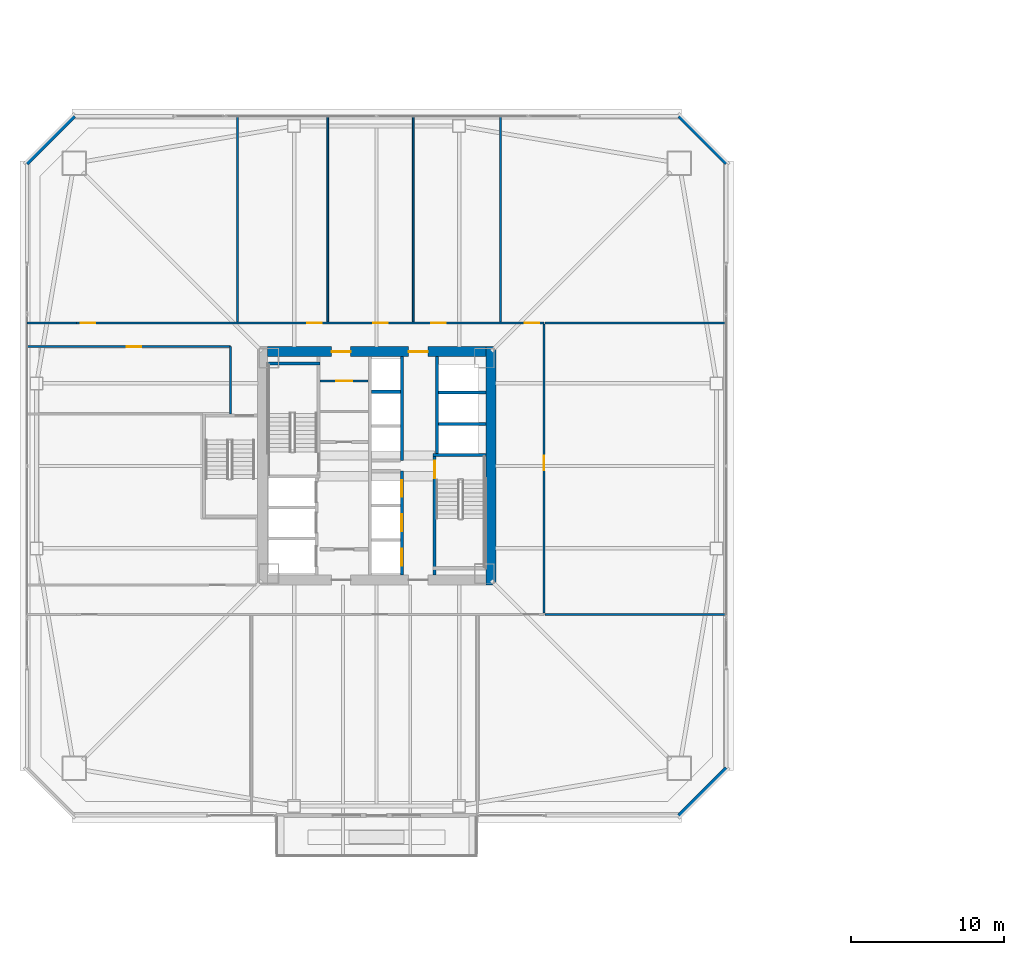
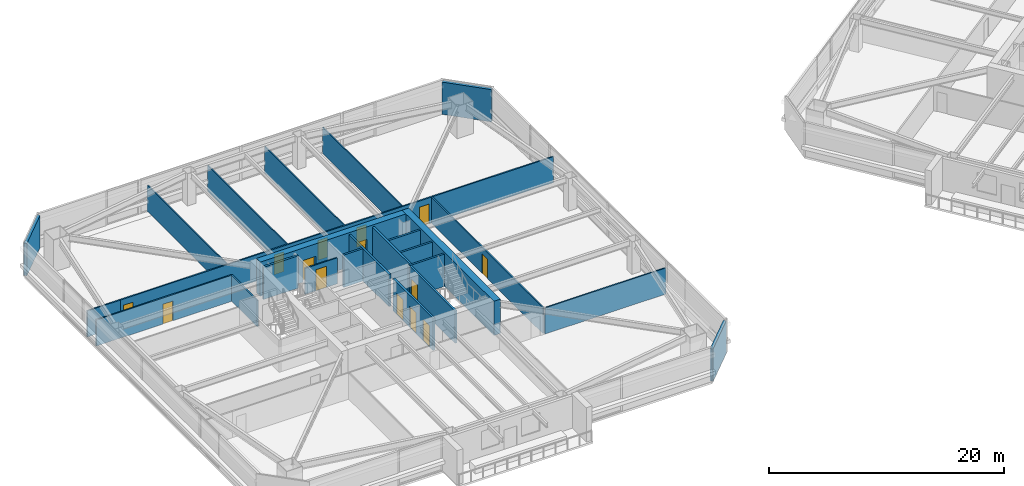
# One storey, part 37 of 48: 26 walls, 14 doors, 14 openings.
"""IFC4 building model written with IfcOpenShell, lengths in metres."""

from ifc_helpers import new_model, si_unit, direction, frame, frame_2d, origin, place, context, subcontext, project, spatial, rectangle, extrude, material, layer, layer_set, type_object, element, fill, save


model = new_model("IFC4")

# Units and contexts
model_context = context("Model", 3, precision=1e-05, world=origin(), true_north=direction((0.0, 1.0)))
body_context = subcontext(model_context, "Body", "Model", "MODEL_VIEW")
ifc_project = project(units=[si_unit("LENGTHUNIT", "METRE"), si_unit("AREAUNIT", "SQUARE_METRE"), si_unit("VOLUMEUNIT", "CUBIC_METRE"), si_unit("PLANEANGLEUNIT", "RADIAN"), si_unit("MASSUNIT", "GRAM", prefix="KILO")], contexts=[model_context])

# Site, building, storey
site_placement = place(None, origin())
site = spatial("IfcSite", under=ifc_project, at=site_placement, CompositionType="ELEMENT")
building_placement = place(site_placement, origin())
building = spatial("IfcBuilding", under=site, at=building_placement, Name="Tashvorn Skyway Center", CompositionType="ELEMENT")
storey_placement = place(building_placement, frame((0.0, 0.0, 56.550048828125)))
storey = spatial("IfcBuildingStorey", under=building, at=storey_placement, Name="L14", CompositionType="ELEMENT", Elevation=56.550048828125)

# Wall
ifc_material_1 = material(Name="Concrete C60/75", Category="concrete")
ifc_layer_1 = layer(ifc_material_1, 0.64990234375)
ifc_layer_set_1 = layer_set([ifc_layer_1], Name="Concrete C60/75")
wall_type_1 = type_object("IfcWallType", Name="WALL-CORE-650", PredefinedType="SHEAR", material=ifc_layer_set_1)
wall_1_placement = place(storey_placement, frame((49.47509765625, 39.800048828125, 0.0), z_axis=(0.0, 0.0, 1.0), x_axis=(0.0, -1.0, 0.0)))
element("IfcWall", 1, at=wall_1_placement, inside=storey, type_object=wall_type_1, Name="Tower 1 L14 East Core Shear Wall", PredefinedType="SHEAR", context=body_context, shape_type="SweptSolid", body=[
    extrude(rectangle(XDim=15.60009765625, YDim=0.64990234375, at=frame_2d((7.800048828125, 0.0))), origin(), (0.0, 0.0, 1.0), 3.550048828125),
])

# Wall, openings, doors
wall_2_placement = place(storey_placement, frame((34.85009765625, 39.47509765625, 0.0), z_axis=(0.0, 0.0, 1.0), x_axis=(1.0, 0.0, 0.0)))
wall_2 = element("IfcWall", 2, at=wall_2_placement, inside=storey, type_object=wall_type_1, Name="Tower 1 L14 North Core Shear Wall", PredefinedType="SHEAR", context=body_context, shape_type="SweptSolid", body=[
    extrude(rectangle(XDim=14.2998046875, YDim=0.64990234375, at=frame_2d((7.14990234375, 0.0))), origin(), (0.0, 0.0, 1.0), 3.550048828125),
])
opening_1_placement = place(wall_2_placement, frame((4.199951171875, 0.0, 0.0)))
opening_1 = element("IfcOpeningElement", 3, at=opening_1_placement, cuts=wall_2, Name="Opening D-FFL-1250", PredefinedType="OPENING", context=body_context, shape_type="SweptSolid", body=[
    extrude(rectangle(XDim=1.25, YDim=2.25, at=frame_2d((0.625, 1.125))), frame((0.0, 0.3349609375, 0.0), z_axis=(0.0, -1.0, 0.0), x_axis=(1.0, 0.0, 0.0)), (0.0, 0.0, 1.0), 0.669921875),
])
opening_2_placement = place(wall_2_placement, frame((9.25, 0.0, 0.0)))
opening_2 = element("IfcOpeningElement", 4, at=opening_2_placement, cuts=wall_2, Name="Opening D-FFL-1250", PredefinedType="OPENING", context=body_context, shape_type="SweptSolid", body=[
    extrude(rectangle(XDim=1.25, YDim=2.25, at=frame_2d((0.625, 1.125))), frame((0.0, 0.3349609375, 0.0), z_axis=(0.0, -1.0, 0.0), x_axis=(1.0, 0.0, 0.0)), (0.0, 0.0, 1.0), 0.669921875),
])
ifc_material_2 = material(Name="Hollow galvanized steel fire door assembly", Category="steel")
door_type_1 = type_object("IfcDoorType", Name="DOOR-FFL-1250", OperationType="NOTDEFINED", PredefinedType="DOOR", material=ifc_material_2)
door_1_placement = place(opening_1_placement, origin())
door_1 = element("IfcDoor", 5, at=door_1_placement, inside=storey, type_object=door_type_1, Name="Tower 1 L14 Core North Service Lobby Door", OperationType="SINGLE_SWING_LEFT", OverallHeight=2.25, OverallWidth=1.25, PredefinedType="DOOR", context=body_context, shape_type="SweptSolid", body=[
    extrude(rectangle(XDim=1.25, YDim=2.25, at=frame_2d((0.625, 1.125))), frame((0.0, 0.02490234375, 0.0), z_axis=(0.0, -1.0, 0.0), x_axis=(1.0, 0.0, 0.0)), (0.0, 0.0, 1.0), 0.050048828125),
])
fill(opening_1, door_1)
door_2_placement = place(opening_2_placement, origin())
door_2 = element("IfcDoor", 6, at=door_2_placement, inside=storey, type_object=door_type_1, Name="Tower 1 L14 Core North Lift Lobby Door", OperationType="SINGLE_SWING_RIGHT", OverallHeight=2.25, OverallWidth=1.25, PredefinedType="DOOR", context=body_context, shape_type="SweptSolid", body=[
    extrude(rectangle(XDim=1.25, YDim=2.25, at=frame_2d((0.625, 1.125))), frame((0.0, 0.02490234375, 0.0), z_axis=(0.0, -1.0, 0.0), x_axis=(1.0, 0.0, 0.0)), (0.0, 0.0, 1.0), 0.050048828125),
])
fill(opening_2, door_2)

# Walls
ifc_material_3 = material(Name="Precast concrete C40/50", Category="concrete")
ifc_layer_2 = layer(ifc_material_3, 0.280029296875)
ifc_layer_set_2 = layer_set([ifc_layer_2], Name="Precast concrete C40/50")
wall_type_2 = type_object("IfcWallType", Name="WALL-EXT-280", PredefinedType="SOLIDWALL", material=ifc_layer_set_2)
for number, where, z_axis, x_axis, name in (
    (7, (19.10009765625, 51.800048828125, 0.0), (0.0, 0.0, 1.0), (0.707106781187, 0.707106781187, 0.0), "Tower 1 L14 NW Precast Chamfer Wall"),
    (8, (61.800048828125, 54.89990234375, 0.0), (0.0, 0.0, 1.0), (0.707106781187, -0.707106781187, 0.0), "Tower 1 L14 NE Precast Chamfer Wall"),
    (9, (64.89990234375, 12.199951171875, 0.0), (0.0, 0.0, 1.0), (-0.707106781187, -0.707106781187, 0.0), "Tower 1 L14 SE Precast Chamfer Wall"),
):
    element("IfcWall", number, at=place(storey_placement, frame(where, z_axis=z_axis, x_axis=x_axis)), inside=storey, type_object=wall_type_2, Name=name, PredefinedType="SOLIDWALL", context=body_context, shape_type="SweptSolid", body=[
        extrude(rectangle(XDim=4.3837890625, YDim=0.280029296875, at=frame_2d((2.19189453125, 0.0))), origin(), (0.0, 0.0, 1.0), 3.349853515625),
    ])
ifc_material_4 = material(Name="Gypsum board on cold-formed steel stud framing", Category="steel")
ifc_layer_3 = layer(ifc_material_4, 0.110107421875)
ifc_layer_set_3 = layer_set([ifc_layer_3], Name="Gypsum board on cold-formed steel stud framing")
wall_type_3 = type_object("IfcWallType", Name="WALL-PART-110", PredefinedType="PARTITIONING", material=ifc_layer_set_3)
for number, where, z_axis, x_axis, name in (
    (10, (32.89990234375, 41.429931640625, 0.0), (0.0, 0.0, 1.0), (0.0, 1.0, 0.0), "Tower 1 L14 North Suite Partition 1"),
    (11, (38.800048828125, 41.429931640625, 0.0), (0.0, 0.0, 1.0), (0.0, 1.0, 0.0), "Tower 1 L14 North Suite Partition 2"),
    (12, (44.39990234375, 41.429931640625, 0.0), (0.0, 0.0, 1.0), (0.0, 1.0, 0.0), "Tower 1 L14 North Suite Partition 3"),
    (13, (50.10009765625, 41.429931640625, 0.0), (0.0, 0.0, 1.0), (0.0, 1.0, 0.0), "Tower 1 L14 North Suite Partition 4"),
):
    element("IfcWall", number, at=place(storey_placement, frame(where, z_axis=z_axis, x_axis=x_axis)), inside=storey, type_object=wall_type_3, Name=name, PredefinedType="PARTITIONING", context=body_context, shape_type="SweptSolid", body=[
        extrude(rectangle(XDim=13.449951171875, YDim=0.110107421875, at=frame_2d((6.72509765625, 0.0))), origin(), (0.0, 0.0, 1.0), 2.702880859375),
    ])
ifc_layer_4 = layer(ifc_material_4, 0.135009765625)
ifc_layer_set_4 = layer_set([ifc_layer_4], Name="Gypsum board on cold-formed steel stud framing")
wall_type_4 = type_object("IfcWallType", Name="WALL-PART-135", PredefinedType="PARTITIONING", material=ifc_layer_set_4)
wall_3_placement = place(storey_placement, frame((32.449951171875, 35.39990234375, 0.0), z_axis=(0.0, 0.0, 1.0), x_axis=(0.0, 1.0, 0.0)))
element("IfcWall", 14, at=wall_3_placement, inside=storey, type_object=wall_type_4, Name="Tower 1 L14 Stair 3 Access Corridor Wall", PredefinedType="PARTITIONING", context=body_context, shape_type="SweptSolid", body=[
    extrude(rectangle(XDim=4.400146484375, YDim=0.135009765625, at=frame_2d((2.2001953125, 0.0))), origin(), (0.0, 0.0, 1.0), 2.702880859375),
])

# Wall, openings, doors
wall_4_placement = place(storey_placement, frame((22.35009765625, 41.35009765625, 0.0), z_axis=(0.0, 0.0, 1.0), x_axis=(1.0, 0.0, 0.0)))
wall_4 = element("IfcWall", 15, at=wall_4_placement, inside=storey, type_object=wall_type_4, Name="Tower 1 L14 North Suite Wall", PredefinedType="PARTITIONING", context=body_context, shape_type="SweptSolid", body=[
    extrude(rectangle(XDim=30.599853515625, YDim=0.135009765625, at=frame_2d((15.2998046875, 0.0))), origin(), (0.0, 0.0, 1.0), 2.702880859375),
])
opening_3_placement = place(wall_4_placement, frame((0.300048828125, 0.0, 0.0)))
opening_3 = element("IfcOpeningElement", 16, at=opening_3_placement, cuts=wall_4, Name="Opening D-INT-950", PredefinedType="OPENING", context=body_context, shape_type="SweptSolid", body=[
    extrude(rectangle(XDim=0.949951171875, YDim=2.050048828125, at=frame_2d((0.47509765625, 1.02490234375))), frame((0.0, 0.077392578125, 0.0), z_axis=(0.0, -1.0, 0.0), x_axis=(1.0, 0.0, 0.0)), (0.0, 0.0, 1.0), 0.155029296875),
])
opening_4_placement = place(wall_4_placement, frame((15.1201171875, 0.0, 0.0)))
opening_4 = element("IfcOpeningElement", 17, at=opening_4_placement, cuts=wall_4, Name="Opening D-INT-950", PredefinedType="OPENING", context=body_context, shape_type="SweptSolid", body=[
    extrude(rectangle(XDim=0.949951171875, YDim=2.050048828125, at=frame_2d((0.47509765625, 1.02490234375))), frame((0.0, 0.077392578125, 0.0), z_axis=(0.0, -1.0, 0.0), x_axis=(1.0, 0.0, 0.0)), (0.0, 0.0, 1.0), 0.155029296875),
])
opening_5_placement = place(wall_4_placement, frame((19.42333984375, 0.0, 0.0)))
opening_5 = element("IfcOpeningElement", 18, at=opening_5_placement, cuts=wall_4, Name="Opening D-INT-950", PredefinedType="OPENING", context=body_context, shape_type="SweptSolid", body=[
    extrude(rectangle(XDim=0.949951171875, YDim=2.050048828125, at=frame_2d((0.47509765625, 1.02490234375))), frame((0.0, 0.077392578125, 0.0), z_axis=(0.0, -1.0, 0.0), x_axis=(1.0, 0.0, 0.0)), (0.0, 0.0, 1.0), 0.155029296875),
])
opening_6_placement = place(wall_4_placement, frame((23.22802734375, 0.0, 0.0)))
opening_6 = element("IfcOpeningElement", 19, at=opening_6_placement, cuts=wall_4, Name="Opening D-INT-950", PredefinedType="OPENING", context=body_context, shape_type="SweptSolid", body=[
    extrude(rectangle(XDim=0.949951171875, YDim=2.050048828125, at=frame_2d((0.47509765625, 1.02490234375))), frame((0.0, 0.077392578125, 0.0), z_axis=(0.0, -1.0, 0.0), x_axis=(1.0, 0.0, 0.0)), (0.0, 0.0, 1.0), 0.155029296875),
])
opening_7_placement = place(wall_4_placement, frame((29.35009765625, 0.0, 0.0)))
opening_7 = element("IfcOpeningElement", 20, at=opening_7_placement, cuts=wall_4, Name="Opening D-INT-950", PredefinedType="OPENING", context=body_context, shape_type="SweptSolid", body=[
    extrude(rectangle(XDim=0.949951171875, YDim=2.050048828125, at=frame_2d((0.47509765625, 1.02490234375))), frame((0.0, 0.077392578125, 0.0), z_axis=(0.0, -1.0, 0.0), x_axis=(1.0, 0.0, 0.0)), (0.0, 0.0, 1.0), 0.155029296875),
])
ifc_material_5 = material(Name="Solid-core architectural oak veneer door")
door_type_2 = type_object("IfcDoorType", Name="DOOR-INT-950", OperationType="NOTDEFINED", PredefinedType="DOOR", material=ifc_material_5)
door_3_placement = place(opening_3_placement, origin())
door_3 = element("IfcDoor", 21, at=door_3_placement, inside=storey, type_object=door_type_2, Name="Tower 1 L14 Research Library Door", OperationType="SINGLE_SWING_LEFT", OverallHeight=2.050048828125, OverallWidth=0.949951171875, PredefinedType="DOOR", context=body_context, shape_type="SweptSolid", body=[
    extrude(rectangle(XDim=0.949951171875, YDim=2.050048828125, at=frame_2d((0.47509765625, 1.02490234375))), frame((0.0, 0.02490234375, 0.0), z_axis=(0.0, -1.0, 0.0), x_axis=(1.0, 0.0, 0.0)), (0.0, 0.0, 1.0), 0.050048828125),
])
fill(opening_3, door_3)
door_4_placement = place(opening_4_placement, origin())
door_4 = element("IfcDoor", 22, at=door_4_placement, inside=storey, type_object=door_type_2, Name="Tower 1 L14 Research Library Door", OperationType="SINGLE_SWING_RIGHT", OverallHeight=2.050048828125, OverallWidth=0.949951171875, PredefinedType="DOOR", context=body_context, shape_type="SweptSolid", body=[
    extrude(rectangle(XDim=0.949951171875, YDim=2.050048828125, at=frame_2d((0.47509765625, 1.02490234375))), frame((0.0, 0.02490234375, 0.0), z_axis=(0.0, -1.0, 0.0), x_axis=(1.0, 0.0, 0.0)), (0.0, 0.0, 1.0), 0.050048828125),
])
fill(opening_4, door_4)
door_5_placement = place(opening_5_placement, origin())
door_5 = element("IfcDoor", 23, at=door_5_placement, inside=storey, type_object=door_type_2, Name="Tower 1 L14 Collaborative Studio Door", OperationType="SINGLE_SWING_LEFT", OverallHeight=2.050048828125, OverallWidth=0.949951171875, PredefinedType="DOOR", context=body_context, shape_type="SweptSolid", body=[
    extrude(rectangle(XDim=0.949951171875, YDim=2.050048828125, at=frame_2d((0.47509765625, 1.02490234375))), frame((0.0, 0.02490234375, 0.0), z_axis=(0.0, -1.0, 0.0), x_axis=(1.0, 0.0, 0.0)), (0.0, 0.0, 1.0), 0.050048828125),
])
fill(opening_5, door_5)
door_6_placement = place(opening_6_placement, origin())
door_6 = element("IfcDoor", 24, at=door_6_placement, inside=storey, type_object=door_type_2, Name="Tower 1 L14 Research Library Door", OperationType="SINGLE_SWING_RIGHT", OverallHeight=2.050048828125, OverallWidth=0.949951171875, PredefinedType="DOOR", context=body_context, shape_type="SweptSolid", body=[
    extrude(rectangle(XDim=0.949951171875, YDim=2.050048828125, at=frame_2d((0.47509765625, 1.02490234375))), frame((0.0, 0.02490234375, 0.0), z_axis=(0.0, -1.0, 0.0), x_axis=(1.0, 0.0, 0.0)), (0.0, 0.0, 1.0), 0.050048828125),
])
fill(opening_6, door_6)
door_7_placement = place(opening_7_placement, origin())
door_7 = element("IfcDoor", 25, at=door_7_placement, inside=storey, type_object=door_type_2, Name="Tower 1 L14 Research Library Door", OperationType="SINGLE_SWING_LEFT", OverallHeight=2.050048828125, OverallWidth=0.949951171875, PredefinedType="DOOR", context=body_context, shape_type="SweptSolid", body=[
    extrude(rectangle(XDim=0.949951171875, YDim=2.050048828125, at=frame_2d((0.47509765625, 1.02490234375))), frame((0.0, 0.02490234375, 0.0), z_axis=(0.0, -1.0, 0.0), x_axis=(1.0, 0.0, 0.0)), (0.0, 0.0, 1.0), 0.050048828125),
])
fill(opening_7, door_7)

# Wall
wall_5_placement = place(storey_placement, frame((19.1201171875, 41.35009765625, 0.0), z_axis=(0.0, 0.0, 1.0), x_axis=(1.0, 0.0, 0.0)))
element("IfcWall", 26, at=wall_5_placement, inside=storey, type_object=wall_type_4, Name="Tower 1 L14 North-West Suite South Wall", PredefinedType="PARTITIONING", context=body_context, shape_type="SweptSolid", body=[
    extrude(rectangle(XDim=3.22998046875, YDim=0.135009765625, at=frame_2d((1.614990234375, 0.0))), origin(), (0.0, 0.0, 1.0), 2.702880859375),
])

# Wall, opening, door
wall_6_placement = place(storey_placement, frame((52.949951171875, 41.27001953125, 0.0), z_axis=(0.0, 0.0, 1.0), x_axis=(0.0, -1.0, 0.0)))
wall_6 = element("IfcWall", 27, at=wall_6_placement, inside=storey, type_object=wall_type_4, Name="Tower 1 L14 East Inner Suite Wall", PredefinedType="PARTITIONING", context=body_context, shape_type="SweptSolid", body=[
    extrude(rectangle(XDim=18.909912109375, YDim=0.135009765625, at=frame_2d((9.455078125, 0.0))), origin(), (0.0, 0.0, 1.0), 2.702880859375),
])
opening_8_placement = place(wall_6_placement, frame((8.6025390625, 0.0, 0.0)))
opening_8 = element("IfcOpeningElement", 28, at=opening_8_placement, cuts=wall_6, Name="Opening D-INT-950", PredefinedType="OPENING", context=body_context, shape_type="SweptSolid", body=[
    extrude(rectangle(XDim=0.949951171875, YDim=2.050048828125, at=frame_2d((0.47509765625, 1.02490234375))), frame((0.0, 0.077392578125, 0.0), z_axis=(0.0, -1.0, 0.0), x_axis=(1.0, 0.0, 0.0)), (0.0, 0.0, 1.0), 0.155029296875),
])
door_8_placement = place(opening_8_placement, origin())
door_8 = element("IfcDoor", 29, at=door_8_placement, inside=storey, type_object=door_type_2, Name="Tower 1 L14 Research Library Door", OperationType="SINGLE_SWING_LEFT", OverallHeight=2.050048828125, OverallWidth=0.949951171875, PredefinedType="DOOR", context=body_context, shape_type="SweptSolid", body=[
    extrude(rectangle(XDim=0.949951171875, YDim=2.050048828125, at=frame_2d((0.47509765625, 1.02490234375))), frame((0.0, 0.02490234375, 0.0), z_axis=(0.0, -1.0, 0.0), x_axis=(1.0, 0.0, 0.0)), (0.0, 0.0, 1.0), 0.050048828125),
])
fill(opening_8, door_8)

# Walls
for number, where, z_axis, x_axis, name in (
    (30, (64.8798828125, 41.35009765625, 0.0), (0.0, 0.0, 1.0), (-1.0, 0.0, 0.0), "Tower 1 L14 East Suite North Wall"),
    (31, (53.030029296875, 22.280029296875, 0.0), (0.0, 0.0, 1.0), (1.0, 0.0, 0.0), "Tower 1 L14 East Suite South Wall"),
):
    element("IfcWall", number, at=place(storey_placement, frame(where, z_axis=z_axis, x_axis=x_axis)), inside=storey, type_object=wall_type_4, Name=name, PredefinedType="PARTITIONING", context=body_context, shape_type="SweptSolid", body=[
        extrude(rectangle(XDim=11.849853515625, YDim=0.135009765625, at=frame_2d((5.9248046875, 0.0))), origin(), (0.0, 0.0, 1.0), 2.702880859375),
    ])

# Wall, opening, door
wall_7_placement = place(storey_placement, frame((32.449951171875, 39.800048828125, 0.0), z_axis=(0.0, 0.0, 1.0), x_axis=(-1.0, 0.0, 0.0)))
wall_7 = element("IfcWall", 32, at=wall_7_placement, inside=storey, type_object=wall_type_4, Name="Tower 1 L14 West Suite North Wall", PredefinedType="PARTITIONING", context=body_context, shape_type="SweptSolid", body=[
    extrude(rectangle(XDim=13.329833984375, YDim=0.135009765625, at=frame_2d((6.6650390625, 0.0))), origin(), (0.0, 0.0, 1.0), 2.702880859375),
])
opening_9_placement = place(wall_7_placement, frame((5.840087890625, 0.0, 0.0)))
opening_9 = element("IfcOpeningElement", 33, at=opening_9_placement, cuts=wall_7, Name="Opening D-INT-950", PredefinedType="OPENING", context=body_context, shape_type="SweptSolid", body=[
    extrude(rectangle(XDim=0.949951171875, YDim=2.050048828125, at=frame_2d((0.47509765625, 1.02490234375))), frame((0.0, 0.077392578125, 0.0), z_axis=(0.0, -1.0, 0.0), x_axis=(1.0, 0.0, 0.0)), (0.0, 0.0, 1.0), 0.155029296875),
])
door_9_placement = place(opening_9_placement, origin())
door_9 = element("IfcDoor", 34, at=door_9_placement, inside=storey, type_object=door_type_2, Name="Tower 1 L14 Design Studio Door", OperationType="SINGLE_SWING_RIGHT", OverallHeight=2.050048828125, OverallWidth=0.949951171875, PredefinedType="DOOR", context=body_context, shape_type="SweptSolid", body=[
    extrude(rectangle(XDim=0.949951171875, YDim=2.050048828125, at=frame_2d((0.47509765625, 1.02490234375))), frame((0.0, 0.02490234375, 0.0), z_axis=(0.0, -1.0, 0.0), x_axis=(1.0, 0.0, 0.0)), (0.0, 0.0, 1.0), 0.050048828125),
])
fill(opening_9, door_9)

ifc_layer_5 = layer(ifc_material_4, 0.135009765625)
ifc_layer_set_5 = layer_set([ifc_layer_5], Name="Gypsum board on cold-formed steel stud framing")
wall_type_5 = type_object("IfcWallType", Name="WALL-RATED-135", PredefinedType="PARTITIONING", material=ifc_layer_set_5)
wall_8_placement = place(storey_placement, frame((38.300048828125, 37.550048828125, 0.0), z_axis=(0.0, 0.0, 1.0), x_axis=(1.0, 0.0, 0.0)))
wall_8 = element("IfcWall", 35, at=wall_8_placement, inside=storey, type_object=wall_type_5, Name="Tower 1 L14 Core Service Lobby Wall", PredefinedType="PARTITIONING", context=body_context, shape_type="SweptSolid", body=[
    extrude(rectangle(XDim=3.14990234375, YDim=0.135009765625, at=frame_2d((1.574951171875, 0.0))), origin(), (0.0, 0.0, 1.0), 2.702880859375),
])
opening_10_placement = place(wall_8_placement, frame((1.050048828125, 0.0, 0.0)))
opening_10 = element("IfcOpeningElement", 36, at=opening_10_placement, cuts=wall_8, Name="Opening D-RT-1050", PredefinedType="OPENING", context=body_context, shape_type="SweptSolid", body=[
    extrude(rectangle(XDim=1.050048828125, YDim=2.199951171875, at=frame_2d((0.52490234375, 1.10009765625))), frame((0.0, 0.077392578125, 0.0), z_axis=(0.0, -1.0, 0.0), x_axis=(1.0, 0.0, 0.0)), (0.0, 0.0, 1.0), 0.155029296875),
])
door_type_3 = type_object("IfcDoorType", Name="DOOR-RATED-1050", OperationType="NOTDEFINED", PredefinedType="DOOR", material=ifc_material_2)
door_10_placement = place(opening_10_placement, origin())
door_10 = element("IfcDoor", 37, at=door_10_placement, inside=storey, type_object=door_type_3, Name="Tower 1 L14 Core Accessible WC Door", OperationType="SINGLE_SWING_RIGHT", OverallHeight=2.199951171875, OverallWidth=1.050048828125, PredefinedType="DOOR", context=body_context, shape_type="SweptSolid", body=[
    extrude(rectangle(XDim=1.050048828125, YDim=2.199951171875, at=frame_2d((0.52490234375, 1.10009765625))), frame((0.0, 0.02490234375, 0.0), z_axis=(0.0, -1.0, 0.0), x_axis=(1.0, 0.0, 0.0)), (0.0, 0.0, 1.0), 0.050048828125),
])
fill(opening_10, door_10)

# Walls
ifc_material_6 = material(Name="Concrete C40/50", Category="concrete")
ifc_layer_6 = layer(ifc_material_6, 0.199951171875)
ifc_layer_set_6 = layer_set([ifc_layer_6], Name="Concrete C40/50")
wall_type_6 = type_object("IfcWallType", Name="WALL-SHAFT-200", PredefinedType="SOLIDWALL", material=ifc_layer_set_6)
for number, where, z_axis, x_axis, name in (
    (38, (46.050048828125, 34.75, 0.0), (0.0, 0.0, 1.0), (1.0, 0.0, 0.0), "Tower 1 L14 High-Rise Shaft Divider"),
    (39, (46.050048828125, 36.800048828125, 0.0), (0.0, 0.0, 1.0), (1.0, 0.0, 0.0), "Tower 1 L14 High-Rise Shaft Divider"),
):
    element("IfcWall", number, at=place(storey_placement, frame(where, z_axis=z_axis, x_axis=x_axis)), inside=storey, type_object=wall_type_6, Name=name, PredefinedType="SOLIDWALL", context=body_context, shape_type="SweptSolid", body=[
        extrude(rectangle(XDim=3.099853515625, YDim=0.199951171875, at=frame_2d((1.5498046875, 0.0))), origin(), (0.0, 0.0, 1.0), 3.349853515625),
    ])

# Wall, openings, doors
wall_9_placement = place(storey_placement, frame((43.64990234375, 24.85009765625, 0.0), z_axis=(0.0, 0.0, 1.0), x_axis=(0.0, 1.0, 0.0)))
wall_9 = element("IfcWall", 40, at=wall_9_placement, inside=storey, type_object=wall_type_6, Name="Tower 1 L14 Low-Rise Core Wall", PredefinedType="SOLIDWALL", context=body_context, shape_type="SweptSolid", body=[
    extrude(rectangle(XDim=6.7998046875, YDim=0.199951171875, at=frame_2d((3.39990234375, 0.0))), origin(), (0.0, 0.0, 1.0), 3.349853515625),
])
opening_11_placement = place(wall_9_placement, frame((0.625, 0.0, 0.0)))
opening_11 = element("IfcOpeningElement", 41, at=opening_11_placement, cuts=wall_9, Name="Opening LD-LR-T1-1-L14", PredefinedType="OPENING", context=body_context, shape_type="SweptSolid", body=[
    extrude(rectangle(XDim=1.10009765625, YDim=2.199951171875, at=frame_2d((0.550048828125, 1.10009765625))), frame((0.0, 0.10986328125, 0.0), z_axis=(0.0, -1.0, 0.0), x_axis=(1.0, 0.0, 0.0)), (0.0, 0.0, 1.0), 0.219970703125),
])
opening_12_placement = place(wall_9_placement, frame((2.875, 0.0, 0.0)))
opening_12 = element("IfcOpeningElement", 42, at=opening_12_placement, cuts=wall_9, Name="Opening LD-LR-T1-2-L14", PredefinedType="OPENING", context=body_context, shape_type="SweptSolid", body=[
    extrude(rectangle(XDim=1.10009765625, YDim=2.199951171875, at=frame_2d((0.550048828125, 1.10009765625))), frame((0.0, 0.10986328125, 0.0), z_axis=(0.0, -1.0, 0.0), x_axis=(1.0, 0.0, 0.0)), (0.0, 0.0, 1.0), 0.219970703125),
])
opening_13_placement = place(wall_9_placement, frame((5.125, 0.0, 0.0)))
opening_13 = element("IfcOpeningElement", 43, at=opening_13_placement, cuts=wall_9, Name="Opening LD-LR-T1-3-L14", PredefinedType="OPENING", context=body_context, shape_type="SweptSolid", body=[
    extrude(rectangle(XDim=1.10009765625, YDim=2.199951171875, at=frame_2d((0.550048828125, 1.10009765625))), frame((0.0, 0.10986328125, 0.0), z_axis=(0.0, -1.0, 0.0), x_axis=(1.0, 0.0, 0.0)), (0.0, 0.0, 1.0), 0.219970703125),
])
ifc_material_7 = material(Name="Stainless steel landing door", Category="steel")
door_type_4 = type_object("IfcDoorType", Name="DOOR-LIFT-1100", OperationType="SLIDING_TO_LEFT", PredefinedType="DOOR", material=ifc_material_7)
door_11_placement = place(opening_11_placement, origin())
door_11 = element("IfcDoor", 44, at=door_11_placement, inside=storey, type_object=door_type_4, Name="Lift LR-T1-1 L14 Landing Door", OperationType="SLIDING_TO_LEFT", OverallHeight=2.199951171875, OverallWidth=1.10009765625, PredefinedType="DOOR", context=body_context, shape_type="SweptSolid", body=[
    extrude(rectangle(XDim=1.10009765625, YDim=2.199951171875, at=frame_2d((0.550048828125, 1.10009765625))), frame((0.0, 0.02490234375, 0.0), z_axis=(0.0, -1.0, 0.0), x_axis=(1.0, 0.0, 0.0)), (0.0, 0.0, 1.0), 0.050048828125),
])
fill(opening_11, door_11)
door_12_placement = place(opening_12_placement, origin())
door_12 = element("IfcDoor", 45, at=door_12_placement, inside=storey, type_object=door_type_4, Name="Lift LR-T1-2 L14 Landing Door", OperationType="SLIDING_TO_LEFT", OverallHeight=2.199951171875, OverallWidth=1.10009765625, PredefinedType="DOOR", context=body_context, shape_type="SweptSolid", body=[
    extrude(rectangle(XDim=1.10009765625, YDim=2.199951171875, at=frame_2d((0.550048828125, 1.10009765625))), frame((0.0, 0.02490234375, 0.0), z_axis=(0.0, -1.0, 0.0), x_axis=(1.0, 0.0, 0.0)), (0.0, 0.0, 1.0), 0.050048828125),
])
fill(opening_12, door_12)
door_13_placement = place(opening_13_placement, origin())
door_13 = element("IfcDoor", 46, at=door_13_placement, inside=storey, type_object=door_type_4, Name="Lift LR-T1-3 L14 Landing Door", OperationType="SLIDING_TO_LEFT", OverallHeight=2.199951171875, OverallWidth=1.10009765625, PredefinedType="DOOR", context=body_context, shape_type="SweptSolid", body=[
    extrude(rectangle(XDim=1.10009765625, YDim=2.199951171875, at=frame_2d((0.550048828125, 1.10009765625))), frame((0.0, 0.02490234375, 0.0), z_axis=(0.0, -1.0, 0.0), x_axis=(1.0, 0.0, 0.0)), (0.0, 0.0, 1.0), 0.050048828125),
])
fill(opening_13, door_13)

# Walls
wall_10_placement = place(storey_placement, frame((43.64990234375, 32.35009765625, 0.0), z_axis=(0.0, 0.0, 1.0), x_axis=(0.0, 1.0, 0.0)))
element("IfcWall", 47, at=wall_10_placement, inside=storey, type_object=wall_type_6, Name="Tower 1 L14 Mid-Rise Core Wall", PredefinedType="SOLIDWALL", context=body_context, shape_type="SweptSolid", body=[
    extrude(rectangle(XDim=6.7998046875, YDim=0.199951171875, at=frame_2d((3.39990234375, 0.0))), origin(), (0.0, 0.0, 1.0), 3.349853515625),
])
wall_11_placement = place(storey_placement, frame((41.669921875, 36.85009765625, 0.0), z_axis=(0.0, 0.0, 1.0), x_axis=(1.0, 0.0, 0.0)))
element("IfcWall", 48, at=wall_11_placement, inside=storey, type_object=wall_type_6, Name="Tower 1 L14 Mid-Rise Shaft Divider", PredefinedType="SOLIDWALL", context=body_context, shape_type="SweptSolid", body=[
    extrude(rectangle(XDim=1.880126953125, YDim=0.199951171875, at=frame_2d((0.93994140625, 0.0))), origin(), (0.0, 0.0, 1.0), 3.349853515625),
])
ifc_layer_7 = layer(ifc_material_6, 0.199951171875)
ifc_layer_set_7 = layer_set([ifc_layer_7], Name="Concrete C40/50")
wall_type_7 = type_object("IfcWallType", Name="WALL-STSHF-200", PredefinedType="SHEAR", material=ifc_layer_set_7)
wall_12_placement = place(storey_placement, frame((34.85009765625, 38.699951171875, 0.0), z_axis=(0.0, 0.0, 1.0), x_axis=(1.0, 0.0, 0.0)))
element("IfcWall", 49, at=wall_12_placement, inside=storey, type_object=wall_type_7, Name="Tower 1 L14 Stair 1 North Wall", PredefinedType="SHEAR", context=body_context, shape_type="SweptSolid", body=[
    extrude(rectangle(XDim=3.449951171875, YDim=0.199951171875, at=frame_2d((1.72509765625, 0.0))), origin(), (0.0, 0.0, 1.0), 3.349853515625),
])

# Wall, opening, door
wall_13_placement = place(storey_placement, frame((45.800048828125, 32.800048828125, 0.0), z_axis=(0.0, 0.0, 1.0), x_axis=(0.0, -1.0, 0.0)))
wall_13 = element("IfcWall", 50, at=wall_13_placement, inside=storey, type_object=wall_type_7, Name="Tower 1 L14 Stair 2 Enclosure Wall", PredefinedType="SHEAR", context=body_context, shape_type="SweptSolid", body=[
    extrude(rectangle(XDim=7.949951171875, YDim=0.199951171875, at=frame_2d((3.97509765625, 0.0))), origin(), (0.0, 0.0, 1.0), 3.349853515625),
])
opening_14_placement = place(wall_13_placement, frame((0.449951171875, 0.0, 0.0)))
opening_14 = element("IfcOpeningElement", 51, at=opening_14_placement, cuts=wall_13, Name="Opening D-ST-1150", PredefinedType="OPENING", context=body_context, shape_type="SweptSolid", body=[
    extrude(rectangle(XDim=1.14990234375, YDim=2.199951171875, at=frame_2d((0.574951171875, 1.10009765625))), frame((0.0, 0.10986328125, 0.0), z_axis=(0.0, -1.0, 0.0), x_axis=(1.0, 0.0, 0.0)), (0.0, 0.0, 1.0), 0.219970703125),
])
door_type_5 = type_object("IfcDoorType", Name="DOOR-STAIR-1150", OperationType="NOTDEFINED", PredefinedType="DOOR", material=ifc_material_2)
door_14_placement = place(opening_14_placement, origin())
door_14 = element("IfcDoor", 52, at=door_14_placement, inside=storey, type_object=door_type_5, Name="Tower 1 L14 Exit Stair 2 Door", OperationType="SINGLE_SWING_RIGHT", OverallHeight=2.199951171875, OverallWidth=1.14990234375, PredefinedType="DOOR", context=body_context, shape_type="SweptSolid", body=[
    extrude(rectangle(XDim=1.14990234375, YDim=2.199951171875, at=frame_2d((0.574951171875, 1.10009765625))), frame((0.0, 0.02490234375, 0.0), z_axis=(0.0, -1.0, 0.0), x_axis=(1.0, 0.0, 0.0)), (0.0, 0.0, 1.0), 0.050048828125),
])
fill(opening_14, door_14)

# Walls
wall_14_placement = place(storey_placement, frame((45.699951171875, 32.699951171875, 0.0), z_axis=(0.0, 0.0, 1.0), x_axis=(1.0, 0.0, 0.0)))
element("IfcWall", 53, at=wall_14_placement, inside=storey, type_object=wall_type_7, Name="Tower 1 L14 Stair 2 North Wall", PredefinedType="SHEAR", context=body_context, shape_type="SweptSolid", body=[
    extrude(rectangle(XDim=3.449951171875, YDim=0.199951171875, at=frame_2d((1.72509765625, 0.0))), origin(), (0.0, 0.0, 1.0), 3.349853515625),
])
wall_15_placement = place(storey_placement, frame((45.949951171875, 39.14990234375, 0.0), z_axis=(0.0, 0.0, 1.0), x_axis=(0.0, -1.0, 0.0)))
element("IfcWall", 54, at=wall_15_placement, inside=storey, type_object=wall_type_7, Name="Tower 1 L14 High-Rise Lift Shaft Front Wall", PredefinedType="SHEAR", context=body_context, shape_type="SweptSolid", body=[
    extrude(rectangle(XDim=6.349853515625, YDim=0.199951171875, at=frame_2d((3.1748046875, 0.0))), origin(), (0.0, 0.0, 1.0), 3.349853515625),
])

save(model, "model.ifc")
